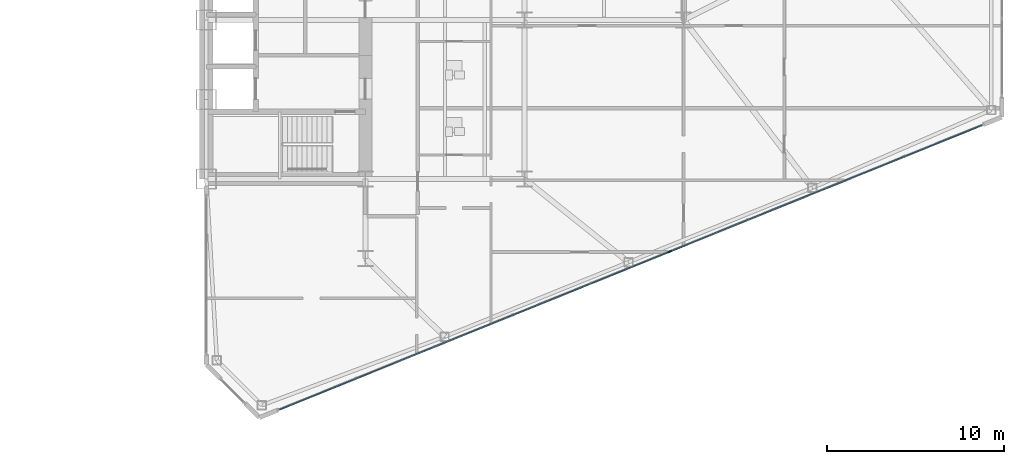
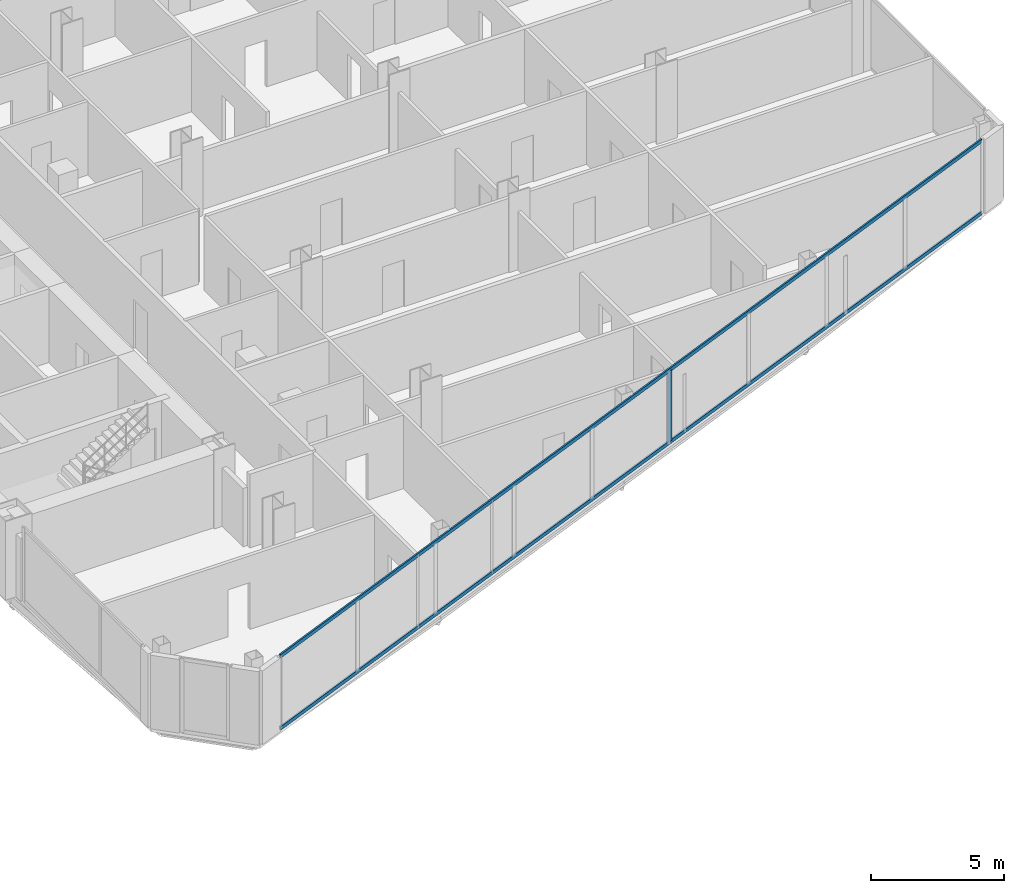
# One storey, part 10 of 25: 3 members, 1 element without a shape of its own.
"""IFC4 building model written with IfcOpenShell, lengths in metres."""

from ifc_helpers import new_model, si_unit, direction, frame, origin, origin_2d, place, context, subcontext, project, spatial, rectangle, extrude, source, transform, mapped, material, layer, layer_set, material_profile, profile_set, type_object, type_shapes, element, aggregate, save


model = new_model("IFC4")

# Units and contexts
model_context = context("Model", 3, precision=1e-05, world=origin(), true_north=direction((0.0, 1.0)))
body_context = subcontext(model_context, "Body", "Model", "MODEL_VIEW")
ifc_project = project(units=[si_unit("LENGTHUNIT", "METRE"), si_unit("AREAUNIT", "SQUARE_METRE"), si_unit("VOLUMEUNIT", "CUBIC_METRE"), si_unit("PLANEANGLEUNIT", "RADIAN"), si_unit("MASSUNIT", "GRAM", prefix="KILO")], contexts=[model_context])

# Site, building, storey
site_placement = place(None, origin())
site = spatial("IfcSite", under=ifc_project, at=site_placement, CompositionType="ELEMENT")
building_placement = place(site_placement, origin())
building = spatial("IfcBuilding", under=site, at=building_placement, Name="Seokmaru Belvedere", CompositionType="ELEMENT")
storey_placement = place(building_placement, frame((0.0, 0.0, 22.5)))
storey = spatial("IfcBuildingStorey", under=building, at=storey_placement, Name="L05", CompositionType="ELEMENT", Elevation=22.5)

# Curtain wall, members
ifc_material_1 = material(Name="Bronze Triple Insulating Glass", Category="glass")
ifc_layer = layer(ifc_material_1, 0.2099609375)
ifc_layer_set = layer_set([ifc_layer], Name="Bronze Triple Insulating Glass")
curtain_wall_type = type_object("IfcCurtainWallType", Name="Low-Rise Faceted Crystal Curtain Wall System CW-2", PredefinedType="NOTDEFINED", material=ifc_layer_set)
curtain_wall_placement = place(storey_placement, origin())
curtain_wall = element("IfcCurtainWall", 1, at=curtain_wall_placement, inside=storey, type_object=curtain_wall_type, Name="L05 Curtain Wall EF1", PredefinedType="NOTDEFINED")
ifc_material_2 = material(Name="Anodised Bronze Aluminium", Category="aluminium")
ifc_material_profile_1 = material_profile(ifc_material_2, rectangle(XDim=0.074951171875, YDim=0.2099609375, at=origin_2d()), Name="CW-M-75x210")
ifc_profile_set_1 = profile_set([ifc_material_profile_1], Name="Anodised Bronze Aluminium")
member_type_1 = type_object("IfcMemberType", Name="Bronze Unitised Mullion 75x210", PredefinedType="MULLION", material=ifc_profile_set_1)
shared_shape_1 = source(origin(), body_context, "Body", "SweptSolid", [
    extrude(rectangle(XDim=0.074951171875, YDim=0.2099609375, at=origin_2d()), origin(), (0.0, 0.0, 1.0), 3.239990234375),
])
type_shapes(member_type_1, [shared_shape_1])
member_1_placement = place(storey_placement, frame((53.71484375, -17.603515625, 0.070068359375), z_axis=(0.0, 0.0, 1.0), x_axis=(-0.375192321888, 0.926946989637, 0.0)))
member_1 = element("IfcMember", 2, at=member_1_placement, type_object=member_type_1, Name="CW:L05:EF1 Mullion 6", PredefinedType="MULLION", context=body_context, shape_type="MappedRepresentation", body=[
    mapped(shared_shape_1, transform((0.0, 0.0, 0.0), scale=1.0)),
])
ifc_material_profile_2 = material_profile(ifc_material_2, rectangle(XDim=0.070068359375, YDim=0.1650390625, at=origin_2d()), Name="CW-T-70x165")
ifc_profile_set_2 = profile_set([ifc_material_profile_2], Name="Anodised Bronze Aluminium")
member_type_2 = type_object("IfcMemberType", Name="Bronze Unitised Transom 70x165", PredefinedType="USERDEFINED", material=ifc_profile_set_2)
shared_shape_2 = source(origin(), body_context, "Body", "SweptSolid", [
    extrude(rectangle(XDim=0.070068359375, YDim=0.1650390625, at=origin_2d()), origin(), (0.0, 0.0, 1.0), 42.860107421875),
])
type_shapes(member_type_2, [shared_shape_2])
member_2_placement = place(storey_placement, frame((31.635498046875, -26.540283203125, 0.034912109375), z_axis=(0.926948605599, 0.375188329481, 0.0), x_axis=(-0.375188329481, 0.926948605599, 0.0)))
member_2 = element("IfcMember", 3, at=member_2_placement, type_object=member_type_2, Name="CW:L05:EF1 Continuous Transom 1", ObjectType="TRANSOM", PredefinedType="USERDEFINED", context=body_context, shape_type="MappedRepresentation", body=[
    mapped(shared_shape_2, transform((0.0, 0.0, 0.0), scale=1.0)),
])
member_3_placement = place(storey_placement, frame((31.635498046875, -26.540283203125, 3.344970703125), z_axis=(0.926948605599, 0.375188329481, 0.0), x_axis=(-0.375188329481, 0.926948605599, 0.0)))
member_3 = element("IfcMember", 4, at=member_3_placement, type_object=member_type_2, Name="CW:L05:EF1 Continuous Transom 2", ObjectType="TRANSOM", PredefinedType="USERDEFINED", context=body_context, shape_type="MappedRepresentation", body=[
    mapped(shared_shape_2, transform((0.0, 0.0, 0.0), scale=1.0)),
])
aggregate(curtain_wall, [member_1, member_2, member_3])

save(model, "model.ifc")
